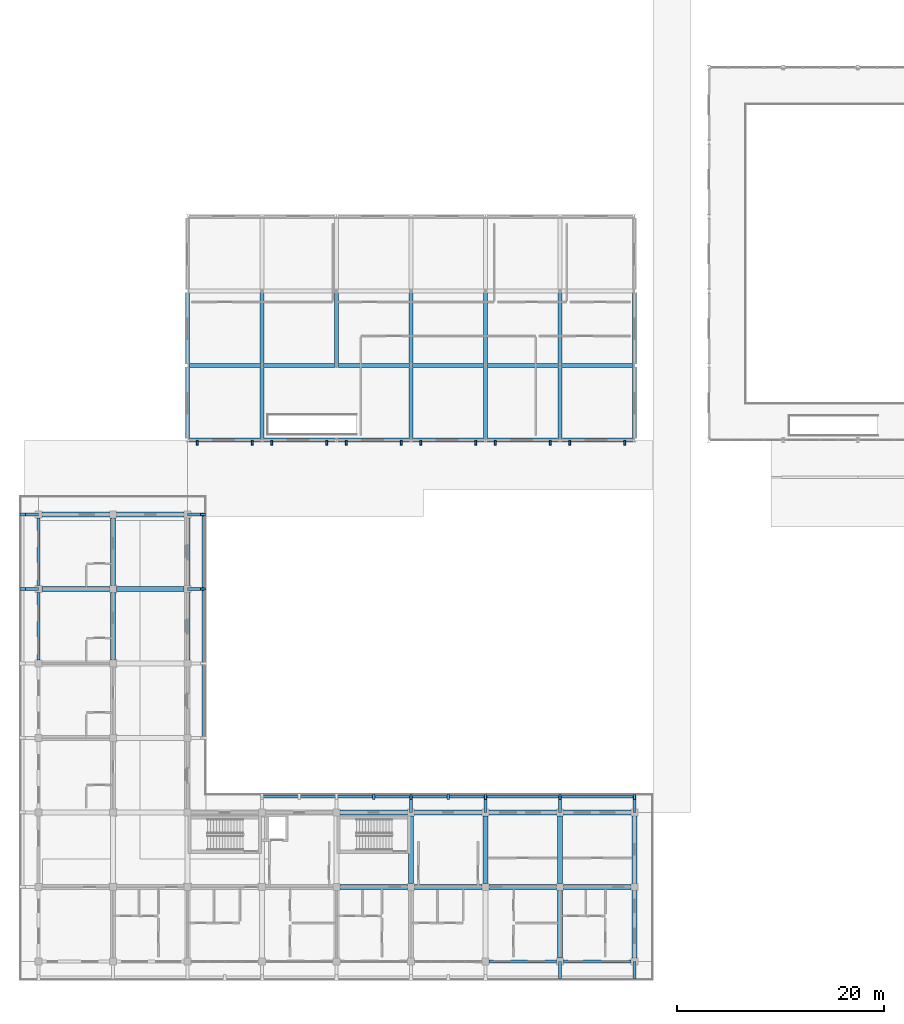
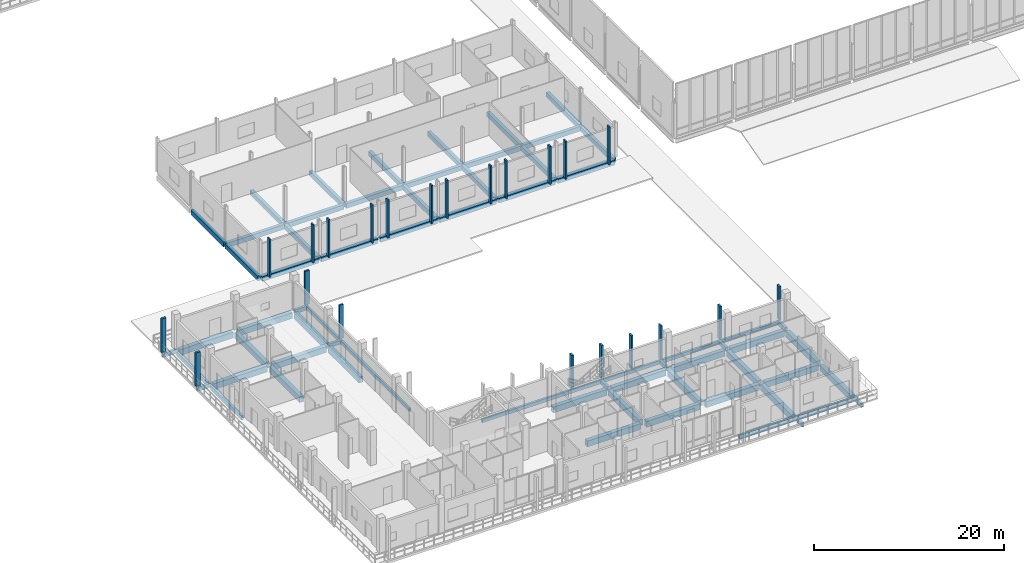
# One storey, part 18 of 110: 63 beams, 22 members.
"""IFC4 building model written with IfcOpenShell, lengths in metres."""

from ifc_helpers import new_model, si_unit, direction, frame, origin, origin_2d, place, context, subcontext, project, spatial, rectangle, extrude, material, material_profile, profile_set, type_object, element, save


model = new_model("IFC4")

# Units and contexts
model_context = context("Model", 3, precision=1e-05, world=origin(), true_north=direction((0.0, 1.0)))
body_context = subcontext(model_context, "Body", "Model", "MODEL_VIEW")
ifc_project = project(units=[si_unit("LENGTHUNIT", "METRE"), si_unit("AREAUNIT", "SQUARE_METRE"), si_unit("VOLUMEUNIT", "CUBIC_METRE"), si_unit("PLANEANGLEUNIT", "RADIAN"), si_unit("MASSUNIT", "GRAM", prefix="KILO")], contexts=[model_context])

# Site, building, storey
site_placement = place(None, origin())
site = spatial("IfcSite", under=ifc_project, at=site_placement, CompositionType="ELEMENT")
building_placement = place(site_placement, origin())
building = spatial("IfcBuilding", under=site, at=building_placement, Name="Suanplinth Sawtooth Commons", CompositionType="ELEMENT")
storey_placement = place(building_placement, frame((0.0, 0.0, 4.5)))
storey = spatial("IfcBuildingStorey", under=building, at=storey_placement, Name="L01", CompositionType="ELEMENT", Elevation=4.5)

# Beams
ifc_material_1 = material(Name="Concrete C40/50", Category="concrete")
ifc_material_profile_1 = material_profile(ifc_material_1, rectangle(XDim=0.5, YDim=0.75, at=origin_2d()), Name="RC-GDR 500x750")
ifc_profile_set_1 = profile_set([ifc_material_profile_1], Name="Concrete C40/50")
beam_type_1 = type_object("IfcBeamType", Name="B-03", PredefinedType="USERDEFINED", material=ifc_profile_set_1)
for number, where, z_axis, x_axis, name in (
    (1, (0.35009765625, 36.0, -0.675048828125), (1.0, 0.0, 0.0), (0.0, 1.0, 0.0), "BMX-L01-D-0-5"),
    (2, (0.35009765625, 43.199951171875, -0.675048828125), (1.0, 0.0, 0.0), (0.0, 1.0, 0.0), "BMX-L01-D-0-6"),
    (3, (7.550048828125, 36.0, -0.675048828125), (1.0, 0.0, 0.0), (0.0, 1.0, 0.0), "BMX-L01-D-1-5"),
    (4, (7.550048828125, 43.199951171875, -0.675048828125), (1.0, 0.0, 0.0), (0.0, 1.0, 0.0), "BMX-L01-D-1-6"),
    (5, (29.14990234375, 7.199951171875, -0.675048828125), (1.0, 0.0, 0.0), (0.0, 1.0, 0.0), "BMX-L01-D-4-1"),
    (6, (29.14990234375, 14.39990234375, -0.675048828125), (1.0, 0.0, 0.0), (0.0, 1.0, 0.0), "BMX-L01-D-4-2"),
    (7, (36.35009765625, 7.199951171875, -0.675048828125), (1.0, 0.0, 0.0), (0.0, 1.0, 0.0), "BMX-L01-D-5-1"),
    (8, (36.35009765625, 14.39990234375, -0.675048828125), (1.0, 0.0, 0.0), (0.0, 1.0, 0.0), "BMX-L01-D-5-2"),
    (9, (43.550048828125, 7.199951171875, -0.675048828125), (1.0, 0.0, 0.0), (0.0, 1.0, 0.0), "BMX-L01-D-6-1"),
    (10, (43.550048828125, 14.39990234375, -0.675048828125), (1.0, 0.0, 0.0), (0.0, 1.0, 0.0), "BMX-L01-D-6-2"),
    (11, (50.75, 7.199951171875, -0.675048828125), (1.0, 0.0, 0.0), (0.0, 1.0, 0.0), "BMX-L01-D-7-1"),
    (12, (50.75, 14.39990234375, -0.675048828125), (1.0, 0.0, 0.0), (0.0, 1.0, 0.0), "BMX-L01-D-7-2"),
    (13, (7.199951171875, 29.14990234375, -0.675048828125), (0.0, 1.0, 0.0), (-1.0, 0.0, 0.0), "BMY-L01-D-1-4"),
    (14, (7.199951171875, 36.35009765625, -0.675048828125), (0.0, 1.0, 0.0), (-1.0, 0.0, 0.0), "BMY-L01-D-1-5"),
    (15, (14.39990234375, 29.14990234375, -0.675048828125), (0.0, 1.0, 0.0), (-1.0, 0.0, 0.0), "BMY-L01-D-2-4"),
    (16, (14.39990234375, 36.35009765625, -0.675048828125), (0.0, 1.0, 0.0), (-1.0, 0.0, 0.0), "BMY-L01-D-2-5"),
    (17, (36.0, 7.550048828125, -0.675048828125), (0.0, 1.0, 0.0), (-1.0, 0.0, 0.0), "BMY-L01-D-5-1"),
    (18, (43.199951171875, 7.550048828125, -0.675048828125), (0.0, 1.0, 0.0), (-1.0, 0.0, 0.0), "BMY-L01-D-6-1"),
    (19, (50.39990234375, 0.35009765625, -0.675048828125), (0.0, 1.0, 0.0), (-1.0, 0.0, 0.0), "BMY-L01-D-7-0"),
    (20, (50.39990234375, 7.550048828125, -0.675048828125), (0.0, 1.0, 0.0), (-1.0, 0.0, 0.0), "BMY-L01-D-7-1"),
    (21, (57.60009765625, 0.35009765625, -0.675048828125), (0.0, 1.0, 0.0), (-1.0, 0.0, 0.0), "BMY-L01-D-8-0"),
    (22, (57.60009765625, 7.550048828125, -0.675048828125), (0.0, 1.0, 0.0), (-1.0, 0.0, 0.0), "BMY-L01-D-8-1"),
):
    element("IfcBeam", number, at=place(storey_placement, frame(where, z_axis=z_axis, x_axis=x_axis)), inside=storey, type_object=beam_type_1, Name=name, ObjectType="GIRDER", PredefinedType="USERDEFINED", context=body_context, shape_type="SweptSolid", body=[
        extrude(rectangle(XDim=0.5, YDim=0.75, at=origin_2d()), origin(), (0.0, 0.0, 1.0), 6.5),
    ])
ifc_material_2 = material(Name="Precast concrete C40/50", Category="concrete")
ifc_material_profile_2 = material_profile(ifc_material_2, rectangle(XDim=0.39990234375, YDim=0.60009765625, at=origin_2d()), Name="PC-GDR 400x600")
ifc_profile_set_2 = profile_set([ifc_material_profile_2], Name="Precast concrete C40/50")
beam_type_2 = type_object("IfcBeamType", Name="B-05", PredefinedType="USERDEFINED", material=ifc_profile_set_2)
for number, where, z_axis, x_axis, name in (
    (23, (14.550048828125, 50.39990234375, -0.60009765625), (1.0, 0.0, 0.0), (0.0, 1.0, 0.0), "BMX-L01-MKT-2-7"),
    (24, (14.550048828125, 57.60009765625, -0.60009765625), (1.0, 0.0, 0.0), (0.0, 1.0, 0.0), "BMX-L01-MKT-2-8"),
    (25, (21.75, 50.39990234375, -0.60009765625), (1.0, 0.0, 0.0), (0.0, 1.0, 0.0), "BMX-L01-MKT-3-7"),
    (26, (21.75, 57.60009765625, -0.60009765625), (1.0, 0.0, 0.0), (0.0, 1.0, 0.0), "BMX-L01-MKT-3-8"),
):
    element("IfcBeam", number, at=place(storey_placement, frame(where, z_axis=z_axis, x_axis=x_axis)), inside=storey, type_object=beam_type_2, Name=name, ObjectType="GIRDER", PredefinedType="USERDEFINED", context=body_context, shape_type="SweptSolid", body=[
        extrude(rectangle(XDim=0.39990234375, YDim=0.60009765625, at=origin_2d()), origin(), (0.0, 0.0, 1.0), 6.89990234375),
    ])
for number, where, z_axis, x_axis, name in (
    (27, (28.949951171875, 50.39990234375, -0.60009765625), (1.0, 0.0, 0.0), (0.0, 1.0, 0.0), "BMX-L01-MKT-4-7"),
    (28, (28.949951171875, 57.60009765625, -0.60009765625), (1.0, 0.0, 0.0), (0.0, 1.0, 0.0), "BMX-L01-MKT-4-8"),
    (29, (36.14990234375, 50.39990234375, -0.60009765625), (1.0, 0.0, 0.0), (0.0, 1.0, 0.0), "BMX-L01-MKT-5-7"),
    (30, (36.14990234375, 57.60009765625, -0.60009765625), (1.0, 0.0, 0.0), (0.0, 1.0, 0.0), "BMX-L01-MKT-5-8"),
):
    element("IfcBeam", number, at=place(storey_placement, frame(where, z_axis=z_axis, x_axis=x_axis)), inside=storey, type_object=beam_type_2, Name=name, ObjectType="GIRDER", PredefinedType="USERDEFINED", context=body_context, shape_type="SweptSolid", body=[
        extrude(rectangle(XDim=0.39990234375, YDim=0.60009765625, at=origin_2d()), origin(), (0.0, 0.0, 1.0), 6.900146484375),
    ])
for number, where, z_axis, x_axis, name in (
    (31, (43.35009765625, 50.39990234375, -0.60009765625), (1.0, 0.0, 0.0), (0.0, 1.0, 0.0), "BMX-L01-MKT-6-7"),
    (32, (43.35009765625, 57.60009765625, -0.60009765625), (1.0, 0.0, 0.0), (0.0, 1.0, 0.0), "BMX-L01-MKT-6-8"),
    (33, (50.550048828125, 50.39990234375, -0.60009765625), (1.0, 0.0, 0.0), (0.0, 1.0, 0.0), "BMX-L01-MKT-7-7"),
    (34, (50.550048828125, 57.60009765625, -0.60009765625), (1.0, 0.0, 0.0), (0.0, 1.0, 0.0), "BMX-L01-MKT-7-8"),
    (35, (14.39990234375, 50.550048828125, -0.60009765625), (0.0, 1.0, 0.0), (-1.0, 0.0, 0.0), "BMY-L01-MKT-2-7"),
    (36, (14.39990234375, 57.75, -0.60009765625), (0.0, 1.0, 0.0), (-1.0, 0.0, 0.0), "BMY-L01-MKT-2-8"),
    (37, (21.60009765625, 50.550048828125, -0.60009765625), (0.0, 1.0, 0.0), (-1.0, 0.0, 0.0), "BMY-L01-MKT-3-7"),
    (38, (21.60009765625, 57.75, -0.60009765625), (0.0, 1.0, 0.0), (-1.0, 0.0, 0.0), "BMY-L01-MKT-3-8"),
    (39, (28.800048828125, 57.75, -0.60009765625), (0.0, 1.0, 0.0), (-1.0, 0.0, 0.0), "BMY-L01-MKT-4-8"),
    (40, (36.0, 50.550048828125, -0.60009765625), (0.0, 1.0, 0.0), (-1.0, 0.0, 0.0), "BMY-L01-MKT-5-7"),
    (41, (36.0, 57.75, -0.60009765625), (0.0, 1.0, 0.0), (-1.0, 0.0, 0.0), "BMY-L01-MKT-5-8"),
    (42, (43.199951171875, 50.550048828125, -0.60009765625), (0.0, 1.0, 0.0), (-1.0, 0.0, 0.0), "BMY-L01-MKT-6-7"),
    (43, (43.199951171875, 57.75, -0.60009765625), (0.0, 1.0, 0.0), (-1.0, 0.0, 0.0), "BMY-L01-MKT-6-8"),
    (44, (50.39990234375, 50.550048828125, -0.60009765625), (0.0, 1.0, 0.0), (-1.0, 0.0, 0.0), "BMY-L01-MKT-7-7"),
    (45, (50.39990234375, 57.75, -0.60009765625), (0.0, 1.0, 0.0), (-1.0, 0.0, 0.0), "BMY-L01-MKT-7-8"),
    (46, (57.60009765625, 50.550048828125, -0.60009765625), (0.0, 1.0, 0.0), (-1.0, 0.0, 0.0), "BMY-L01-MKT-8-7"),
    (47, (57.60009765625, 57.75, -0.60009765625), (0.0, 1.0, 0.0), (-1.0, 0.0, 0.0), "BMY-L01-MKT-8-8"),
):
    element("IfcBeam", number, at=place(storey_placement, frame(where, z_axis=z_axis, x_axis=x_axis)), inside=storey, type_object=beam_type_2, Name=name, ObjectType="GIRDER", PredefinedType="USERDEFINED", context=body_context, shape_type="SweptSolid", body=[
        extrude(rectangle(XDim=0.39990234375, YDim=0.60009765625, at=origin_2d()), origin(), (0.0, 0.0, 1.0), 6.89990234375),
    ])
ifc_material_profile_3 = material_profile(ifc_material_2, rectangle(XDim=0.300048828125, YDim=0.5, at=origin_2d()), Name="PC-BM 300x500")
ifc_profile_set_3 = profile_set([ifc_material_profile_3], Name="Precast concrete C40/50")
beam_type_3 = type_object("IfcBeamType", Name="B-07", PredefinedType="BEAM", material=ifc_profile_set_3)
for number, where, z_axis, x_axis, name in (
    (48, (50.39990234375, 0.0, -0.429931640625), (0.0, -1.0, 0.0), (1.0, 0.0, 0.0), "Balcony Outrigger L01-D-S-7"),
    (49, (57.60009765625, 0.0, -0.429931640625), (0.0, -1.0, 0.0), (1.0, 0.0, 0.0), "Balcony Outrigger L01-D-S-8"),
    (50, (0.0, 36.0, -0.429931640625), (-1.0, 0.0, 0.0), (0.0, -1.0, 0.0), "Balcony Outrigger L01-D-W-5"),
    (51, (0.0, 43.199951171875, -0.429931640625), (-1.0, 0.0, 0.0), (0.0, -1.0, 0.0), "Balcony Outrigger L01-D-W-6"),
):
    element("IfcBeam", number, at=place(storey_placement, frame(where, z_axis=z_axis, x_axis=x_axis)), inside=storey, type_object=beam_type_3, Name=name, PredefinedType="BEAM", context=body_context, shape_type="SweptSolid", body=[
        extrude(rectangle(XDim=0.300048828125, YDim=0.5, at=origin_2d()), origin(), (0.0, 0.0, 1.0), 1.639892578125),
    ])
for number, where, z_axis, x_axis, name in (
    (52, (36.0, 14.39990234375, -0.425048828125), (0.0, 1.0, 0.0), (-1.0, 0.0, 0.0), "Balcony Outrigger L01-D-NC-5"),
    (53, (43.199951171875, 14.39990234375, -0.425048828125), (0.0, 1.0, 0.0), (-1.0, 0.0, 0.0), "Balcony Outrigger L01-D-NC-6"),
    (54, (50.39990234375, 14.39990234375, -0.425048828125), (0.0, 1.0, 0.0), (-1.0, 0.0, 0.0), "Balcony Outrigger L01-D-NC-7"),
    (55, (57.60009765625, 14.39990234375, -0.425048828125), (0.0, 1.0, 0.0), (-1.0, 0.0, 0.0), "Balcony Outrigger L01-D-NC-8"),
    (56, (14.39990234375, 36.0, -0.425048828125), (1.0, 0.0, 0.0), (0.0, 1.0, 0.0), "Balcony Outrigger L01-D-EC-5"),
    (57, (14.39990234375, 43.199951171875, -0.425048828125), (1.0, 0.0, 0.0), (0.0, 1.0, 0.0), "Balcony Outrigger L01-D-EC-6"),
):
    element("IfcBeam", number, at=place(storey_placement, frame(where, z_axis=z_axis, x_axis=x_axis)), inside=storey, type_object=beam_type_3, Name=name, PredefinedType="BEAM", context=body_context, shape_type="SweptSolid", body=[
        extrude(rectangle(XDim=0.300048828125, YDim=0.5, at=origin_2d()), origin(), (0.0, 0.0, 1.0), 1.64013671875),
    ])
ifc_material_profile_4 = material_profile(ifc_material_2, rectangle(XDim=0.280029296875, YDim=0.52001953125, at=origin_2d()), Name="PC-SP 280x520")
ifc_profile_set_4 = profile_set([ifc_material_profile_4], Name="Precast concrete C40/50")
beam_type_4 = type_object("IfcBeamType", Name="B-08", PredefinedType="SPANDREL", material=ifc_profile_set_4)
for number, where, z_axis, x_axis, name in (
    (58, (43.550048828125, 0.0, -0.56005859375), (1.0, 0.0, 0.0), (0.0, 1.0, 0.0), "BMX-L01-D-6-0"),
    (59, (50.75, 0.0, -0.56005859375), (1.0, 0.0, 0.0), (0.0, 1.0, 0.0), "BMX-L01-D-7-0"),
    (60, (0.0, 29.14990234375, -0.56005859375), (0.0, 1.0, 0.0), (-1.0, 0.0, 0.0), "BMY-L01-D-0-4"),
    (61, (0.0, 36.35009765625, -0.56005859375), (0.0, 1.0, 0.0), (-1.0, 0.0, 0.0), "BMY-L01-D-0-5"),
):
    element("IfcBeam", number, at=place(storey_placement, frame(where, z_axis=z_axis, x_axis=x_axis)), inside=storey, type_object=beam_type_4, Name=name, PredefinedType="SPANDREL", context=body_context, shape_type="SweptSolid", body=[
        extrude(rectangle(XDim=0.280029296875, YDim=0.52001953125, at=origin_2d()), origin(), (0.0, 0.0, 1.0), 6.5),
    ])
ifc_material_profile_5 = material_profile(ifc_material_2, rectangle(XDim=0.25, YDim=0.449951171875, at=origin_2d()), Name="PC-SP 250x450")
ifc_profile_set_5 = profile_set([ifc_material_profile_5], Name="Precast concrete C40/50")
beam_type_5 = type_object("IfcBeamType", Name="B-09", PredefinedType="SPANDREL", material=ifc_profile_set_5)
beam_1_placement = place(storey_placement, frame((21.449951171875, 15.919921875, -0.39990234375), z_axis=(1.0, 0.0, 0.0), x_axis=(0.0, 1.0, 0.0)))
element("IfcBeam", 62, at=beam_1_placement, inside=storey, type_object=beam_type_5, Name="Balcony Edge Fascia L01-D-NC", PredefinedType="SPANDREL", context=body_context, shape_type="SweptSolid", body=[
    extrude(rectangle(XDim=0.25, YDim=0.449951171875, at=origin_2d()), origin(), (0.0, 0.0, 1.0), 36.300048828125),
])
beam_2_placement = place(storey_placement, frame((15.919921875, 21.449951171875, -0.39990234375), z_axis=(0.0, 1.0, 0.0), x_axis=(-1.0, 0.0, 0.0)))
element("IfcBeam", 63, at=beam_2_placement, inside=storey, type_object=beam_type_5, Name="Balcony Edge Fascia L01-D-EC", PredefinedType="SPANDREL", context=body_context, shape_type="SweptSolid", body=[
    extrude(rectangle(XDim=0.25, YDim=0.449951171875, at=origin_2d()), origin(), (0.0, 0.0, 1.0), 21.900146484375),
])

# Members
ifc_material_3 = material(Name="Pigmented precast concrete C40/50", Category="concrete")
ifc_material_profile_6 = material_profile(ifc_material_3, rectangle(XDim=0.25, YDim=0.5400390625, at=origin_2d()), Name="PC-FIN 250x540")
ifc_profile_set_6 = profile_set([ifc_material_profile_6], Name="Pigmented precast concrete C40/50")
member_type_1 = type_object("IfcMemberType", Name="M-11", PredefinedType="USERDEFINED", material=ifc_profile_set_6)
for number, where, z_axis, x_axis, name in (
    (64, (-1.52001953125, 36.0, 0.0), (0.0, 0.0, 1.0), (0.0, 1.0, 0.0), "Upright Solar Blade L01-D-W-12"),
    (65, (-1.52001953125, 43.199951171875, 0.0), (0.0, 0.0, 1.0), (0.0, 1.0, 0.0), "Upright Solar Blade L01-D-W-13"),
):
    element("IfcMember", number, at=place(storey_placement, frame(where, z_axis=z_axis, x_axis=x_axis)), inside=storey, type_object=member_type_1, Name=name, ObjectType="SHADING FIN", PredefinedType="USERDEFINED", context=body_context, shape_type="SweptSolid", body=[
        extrude(rectangle(XDim=0.25, YDim=0.5400390625, at=origin_2d()), origin(), (0.0, 0.0, 1.0), 4.330078125),
    ])
ifc_material_profile_7 = material_profile(ifc_material_3, rectangle(XDim=0.2099609375, YDim=0.52001953125, at=origin_2d()), Name="PC-FIN 210x520")
ifc_profile_set_7 = profile_set([ifc_material_profile_7], Name="Pigmented precast concrete C40/50")
member_type_2 = type_object("IfcMemberType", Name="M-12", PredefinedType="USERDEFINED", material=ifc_profile_set_7)
for number, where, z_axis, x_axis, name in (
    (66, (32.39990234375, 15.919921875, 0.0), (0.0, 0.0, 1.0), (1.0, 0.0, 0.0), "Upright Solar Blade L01-D-NC-17"),
    (67, (36.0, 15.919921875, 0.0), (0.0, 0.0, 1.0), (1.0, 0.0, 0.0), "Upright Solar Blade L01-D-NC-18"),
    (68, (39.60009765625, 15.919921875, 0.0), (0.0, 0.0, 1.0), (1.0, 0.0, 0.0), "Upright Solar Blade L01-D-NC-19"),
    (69, (43.199951171875, 15.919921875, 0.0), (0.0, 0.0, 1.0), (1.0, 0.0, 0.0), "Upright Solar Blade L01-D-NC-20"),
    (70, (50.39990234375, 15.919921875, 0.0), (0.0, 0.0, 1.0), (1.0, 0.0, 0.0), "Upright Solar Blade L01-D-NC-21"),
    (71, (57.60009765625, 15.919921875, 0.0), (0.0, 0.0, 1.0), (1.0, 0.0, 0.0), "Upright Solar Blade L01-D-NC-22"),
    (72, (15.919921875, 36.0, 0.0), (0.0, 0.0, 1.0), (0.0, 1.0, 0.0), "Upright Solar Blade L01-D-EC-25"),
    (73, (15.919921875, 43.199951171875, 0.0), (0.0, 0.0, 1.0), (0.0, 1.0, 0.0), "Upright Solar Blade L01-D-EC-26"),
):
    element("IfcMember", number, at=place(storey_placement, frame(where, z_axis=z_axis, x_axis=x_axis)), inside=storey, type_object=member_type_2, Name=name, ObjectType="SHADING FIN", PredefinedType="USERDEFINED", context=body_context, shape_type="SweptSolid", body=[
        extrude(rectangle(XDim=0.2099609375, YDim=0.52001953125, at=origin_2d()), origin(), (0.0, 0.0, 1.0), 4.330078125),
    ])
ifc_material_profile_8 = material_profile(ifc_material_3, rectangle(XDim=0.179931640625, YDim=0.449951171875, at=origin_2d()), Name="PC-FIN 180x450")
ifc_profile_set_8 = profile_set([ifc_material_profile_8], Name="Pigmented precast concrete C40/50")
member_type_3 = type_object("IfcMemberType", Name="M-18", PredefinedType="USERDEFINED", material=ifc_profile_set_8)
for number, where, z_axis, x_axis, name in (
    (74, (15.35009765625, 50.139892578125, -0.43994140625), (0.0, 0.0, 1.0), (1.0, 0.0, 0.0), "Market Arcade Solar Fin 2-9"),
    (75, (20.64990234375, 50.139892578125, -0.43994140625), (0.0, 0.0, 1.0), (1.0, 0.0, 0.0), "Market Arcade Solar Fin 2-62"),
    (76, (22.550048828125, 50.139892578125, -0.43994140625), (0.0, 0.0, 1.0), (1.0, 0.0, 0.0), "Market Arcade Solar Fin 3-9"),
    (77, (27.85009765625, 50.139892578125, -0.43994140625), (0.0, 0.0, 1.0), (1.0, 0.0, 0.0), "Market Arcade Solar Fin 3-62"),
    (78, (29.75, 50.139892578125, -0.43994140625), (0.0, 0.0, 1.0), (1.0, 0.0, 0.0), "Market Arcade Solar Fin 4-9"),
    (79, (35.050048828125, 50.139892578125, -0.43994140625), (0.0, 0.0, 1.0), (1.0, 0.0, 0.0), "Market Arcade Solar Fin 4-62"),
    (80, (36.949951171875, 50.139892578125, -0.43994140625), (0.0, 0.0, 1.0), (1.0, 0.0, 0.0), "Market Arcade Solar Fin 5-9"),
    (81, (42.25, 50.139892578125, -0.43994140625), (0.0, 0.0, 1.0), (1.0, 0.0, 0.0), "Market Arcade Solar Fin 5-62"),
    (82, (44.14990234375, 50.139892578125, -0.43994140625), (0.0, 0.0, 1.0), (1.0, 0.0, 0.0), "Market Arcade Solar Fin 6-9"),
    (83, (49.449951171875, 50.139892578125, -0.43994140625), (0.0, 0.0, 1.0), (1.0, 0.0, 0.0), "Market Arcade Solar Fin 6-62"),
    (84, (51.35009765625, 50.139892578125, -0.43994140625), (0.0, 0.0, 1.0), (1.0, 0.0, 0.0), "Market Arcade Solar Fin 7-9"),
    (85, (56.64990234375, 50.139892578125, -0.43994140625), (0.0, 0.0, 1.0), (1.0, 0.0, 0.0), "Market Arcade Solar Fin 7-62"),
):
    element("IfcMember", number, at=place(storey_placement, frame(where, z_axis=z_axis, x_axis=x_axis)), inside=storey, type_object=member_type_3, Name=name, ObjectType="SHADING FIN", PredefinedType="USERDEFINED", context=body_context, shape_type="SweptSolid", body=[
        extrude(rectangle(XDim=0.179931640625, YDim=0.449951171875, at=origin_2d()), origin(), (0.0, 0.0, 1.0), 4.89990234375),
    ])

save(model, "model.ifc")
